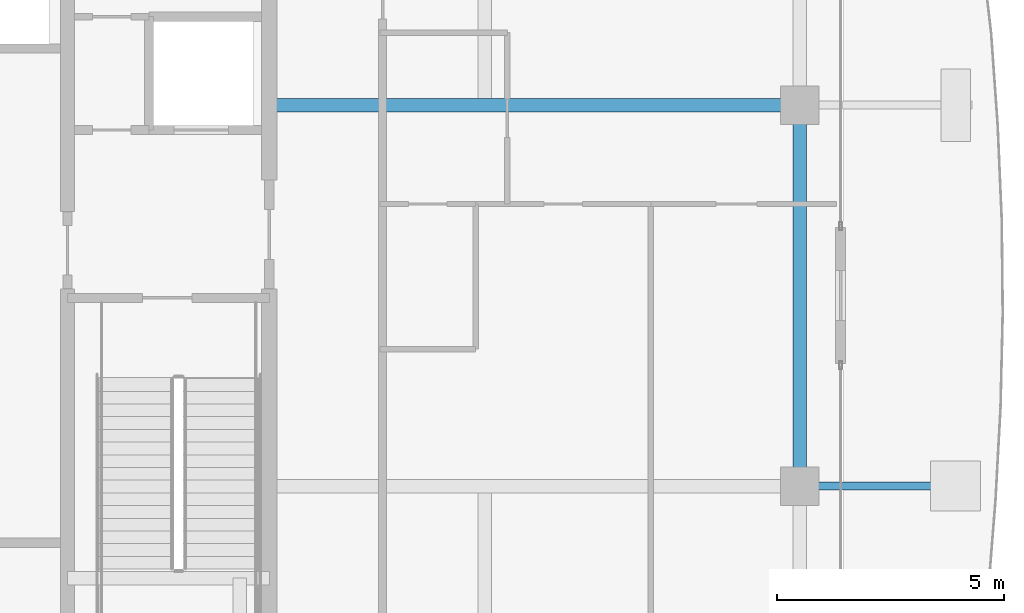
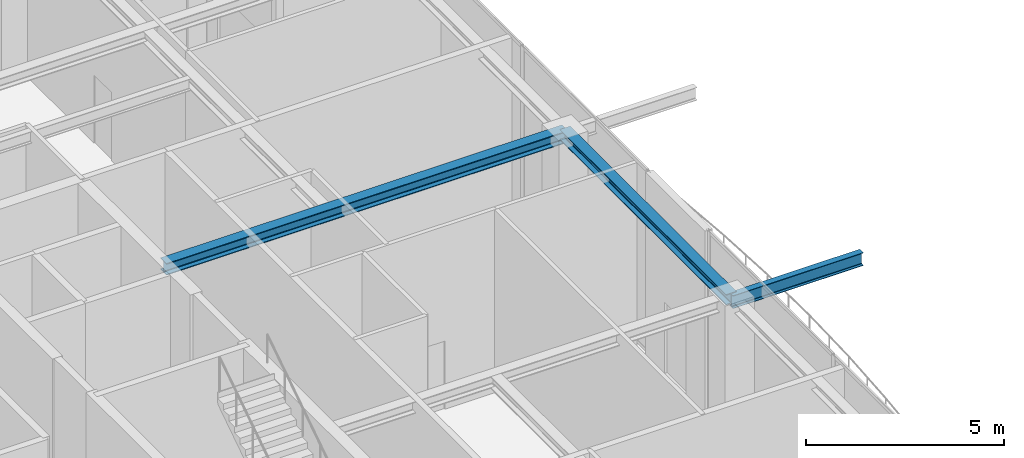
# One storey, part 15 of 38: 3 beams.
"""IFC4 building model written with IfcOpenShell, lengths in metres."""

from ifc_helpers import new_model, si_unit, direction, frame, origin, origin_2d, place, context, subcontext, project, spatial, i_section, extrude, source, transform, mapped, material, material_profile, profile_set, type_object, element, save


model = new_model("IFC4")

# Units and contexts
model_context = context("Model", 3, precision=1e-05, world=origin(), true_north=direction((0.0, 1.0)))
body_context = subcontext(model_context, "Body", "Model", "MODEL_VIEW")
ifc_project = project(units=[si_unit("LENGTHUNIT", "METRE"), si_unit("AREAUNIT", "SQUARE_METRE"), si_unit("VOLUMEUNIT", "CUBIC_METRE"), si_unit("PLANEANGLEUNIT", "RADIAN"), si_unit("MASSUNIT", "GRAM", prefix="KILO")], contexts=[model_context])

# Site, building, storey
site_placement = place(None, origin())
site = spatial("IfcSite", under=ifc_project, at=site_placement, CompositionType="ELEMENT")
building_placement = place(site_placement, origin())
building = spatial("IfcBuilding", under=site, at=building_placement, Name="Serunith Strait Residences", CompositionType="ELEMENT")
storey_placement = place(building_placement, frame((0.0, 0.0, 342.050048828125)))
storey = spatial("IfcBuildingStorey", under=building, at=storey_placement, Name="L85", CompositionType="ELEMENT", Elevation=342.050048828125)

# Beams
ifc_material = material(Name="Steel S355J2", Category="steel")
ifc_material_profile_1 = material_profile(ifc_material, i_section(OverallWidth=0.300048828125, OverallDepth=0.360107421875, WebThickness=0.012451171875, FlangeThickness=0.0224609375, FilletRadius=0.027099609375, at=origin_2d()), Name="HEB 360")
ifc_profile_set_1 = profile_set([ifc_material_profile_1], Name="Steel S355J2")
beam_type_1 = type_object("IfcBeamType", Name="BM-HEB360", PredefinedType="BEAM", material=ifc_profile_set_1)
shared_shape_1 = source(origin(), body_context, "Body", "SweptSolid", [
    extrude(i_section(OverallWidth=0.300048828125, OverallDepth=0.360107421875, WebThickness=0.012451171875, FlangeThickness=0.0224609375, FilletRadius=0.027099609375, at=origin_2d()), origin(), (0.0, 0.0, 1.0), 11.7001953125),
])
beam_1_placement = place(storey_placement, frame((41.39990234375, 29.39990234375, 5.45703125), z_axis=(1.0, 0.0, 0.0), x_axis=(0.0, 1.0, 0.0)))
element("IfcBeam", 1, at=beam_1_placement, inside=storey, type_object=beam_type_1, Name="L85 Primary Floor Girder TC-E3", PredefinedType="BEAM", context=body_context, shape_type="MappedRepresentation", body=[
    mapped(shared_shape_1, transform((0.0, 0.0, 0.0), scale=1.0)),
])
ifc_material_profile_2 = material_profile(ifc_material, i_section(OverallWidth=0.300048828125, OverallDepth=0.320068359375, WebThickness=0.011474609375, FlangeThickness=0.0205078125, FilletRadius=0.027099609375, at=origin_2d()), Name="HEB 320")
ifc_profile_set_2 = profile_set([ifc_material_profile_2], Name="Steel S355J2")
beam_type_2 = type_object("IfcBeamType", Name="BM-HEB320", PredefinedType="BEAM", material=ifc_profile_set_2)
shared_shape_2 = source(origin(), body_context, "Body", "SweptSolid", [
    extrude(i_section(OverallWidth=0.300048828125, OverallDepth=0.320068359375, WebThickness=0.011474609375, FlangeThickness=0.0205078125, FilletRadius=0.027099609375, at=origin_2d()), origin(), (0.0, 0.0, 1.0), 8.39990234375),
])
beam_2_placement = place(storey_placement, frame((53.10009765625, 21.0, 5.47705078125), z_axis=(0.0, 1.0, 0.0), x_axis=(-1.0, 0.0, 0.0)))
element("IfcBeam", 2, at=beam_2_placement, inside=storey, type_object=beam_type_2, Name="L85 Perimeter Ring Beam 06", PredefinedType="BEAM", context=body_context, shape_type="MappedRepresentation", body=[
    mapped(shared_shape_2, transform((0.0, 0.0, 0.0), scale=1.0)),
])
ifc_material_profile_3 = material_profile(ifc_material, i_section(OverallWidth=0.179931640625, OverallDepth=0.39990234375, WebThickness=0.008544921875, FlangeThickness=0.013427734375, FilletRadius=0.02099609375, at=origin_2d()), Name="IPE 400")
ifc_profile_set_3 = profile_set([ifc_material_profile_3], Name="Steel S355J2")
beam_type_3 = type_object("IfcBeamType", Name="BM-IPE400", PredefinedType="JOIST", material=ifc_profile_set_3)
shared_shape_3 = source(origin(), body_context, "Body", "SweptSolid", [
    extrude(i_section(OverallWidth=0.179931640625, OverallDepth=0.39990234375, WebThickness=0.008544921875, FlangeThickness=0.013427734375, FilletRadius=0.02099609375, at=origin_2d()), origin(), (0.0, 0.0, 1.0), 3.7998046875),
])
beam_3_placement = place(storey_placement, frame((53.10009765625, 21.0, 5.406982421875), z_axis=(1.0, 0.0, 0.0), x_axis=(0.0, 1.0, 0.0)))
element("IfcBeam", 3, at=beam_3_placement, inside=storey, type_object=beam_type_3, Name="L86 Cantilevered Balcony Rib TC-E2", PredefinedType="JOIST", context=body_context, shape_type="MappedRepresentation", body=[
    mapped(shared_shape_3, transform((0.0, 0.0, 0.0), scale=1.0)),
])

save(model, "model.ifc")
